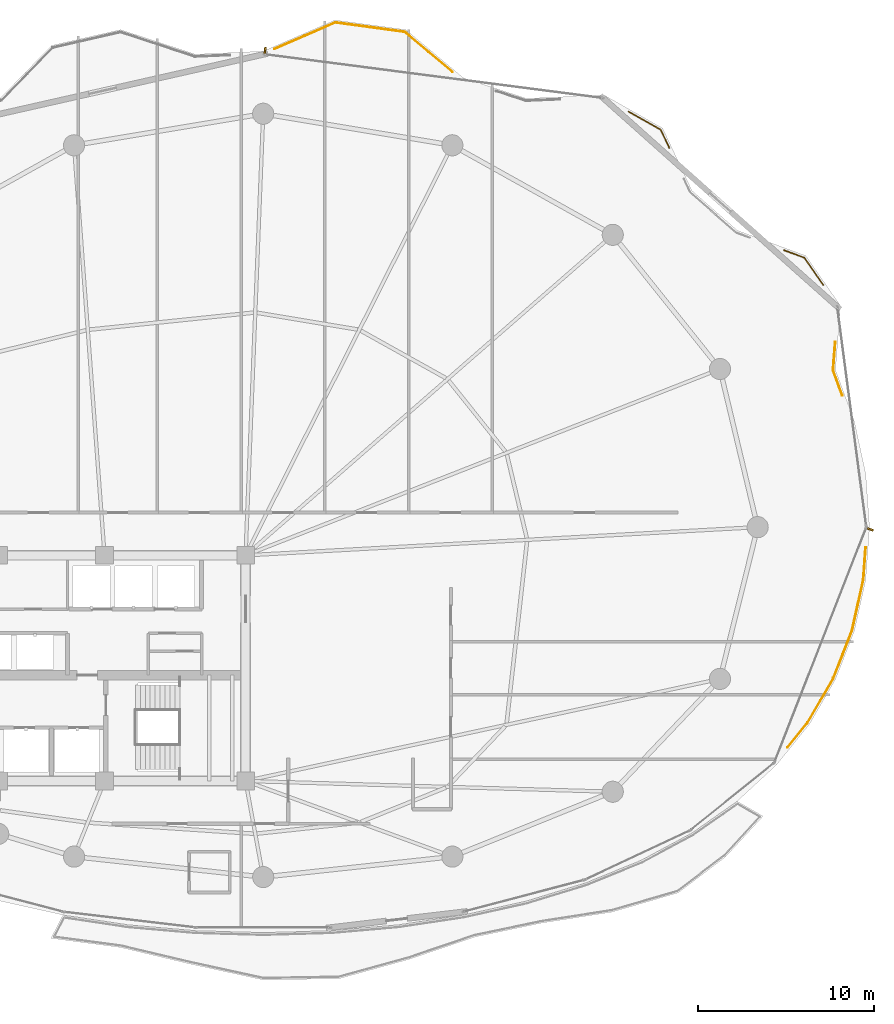
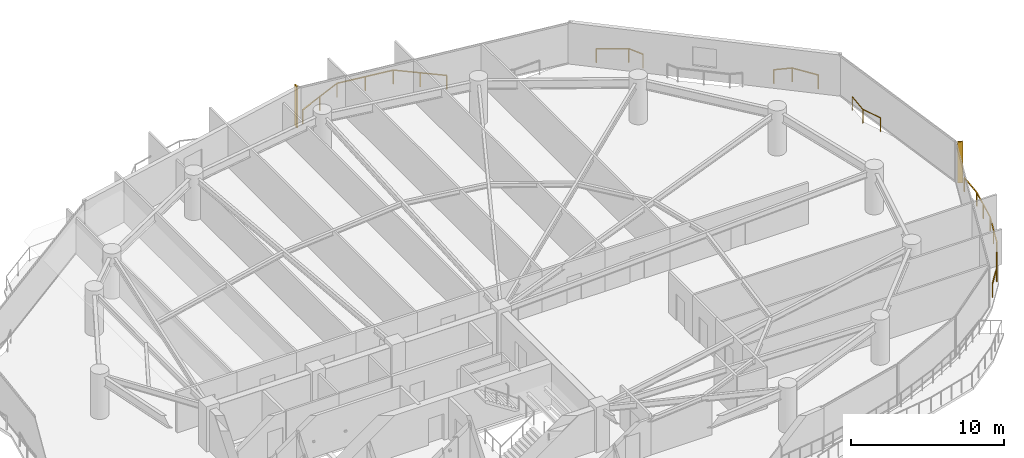
# One storey, part 33 of 33: 5 railings, 2 shading devices.
"""IFC4 building model written with IfcOpenShell, lengths in metres."""

from ifc_helpers import new_model, si_unit, direction, frame, origin, origin_2d, place, context, subcontext, project, spatial, rectangle, extrude, material, type_object, element, save


model = new_model("IFC4")

# Units and contexts
model_context = context("Model", 3, precision=1e-05, world=origin(), true_north=direction((0.0, 1.0)))
body_context = subcontext(model_context, "Body", "Model", "MODEL_VIEW")
ifc_project = project(units=[si_unit("LENGTHUNIT", "METRE"), si_unit("AREAUNIT", "SQUARE_METRE"), si_unit("VOLUMEUNIT", "CUBIC_METRE"), si_unit("PLANEANGLEUNIT", "RADIAN"), si_unit("MASSUNIT", "GRAM", prefix="KILO")], contexts=[model_context])

# Site, building, storey
site_placement = place(None, origin())
site = spatial("IfcSite", under=ifc_project, at=site_placement, CompositionType="ELEMENT")
building_placement = place(site_placement, origin())
building = spatial("IfcBuilding", under=site, at=building_placement, Name="Kazevale Care Tower and Concert Hall", CompositionType="ELEMENT")
storey_placement = place(building_placement, frame((0.0, 0.0, 178.199951171875)))
storey = spatial("IfcBuildingStorey", under=building, at=storey_placement, Name="L47", CompositionType="ELEMENT", Elevation=178.199951171875)

# Railings
ifc_material_1 = material(Name="Anodised Bronze Aluminium and Laminated Glass", Category="aluminium")
railing_type = type_object("IfcRailingType", Name="Balcony and Terrace Balustrade 1120", PredefinedType="BALUSTRADE", material=ifc_material_1)
railing_1_placement = place(storey_placement, frame((45.64404296875, 65.126953125, 0.0)))
element("IfcRailing", 1, at=railing_1_placement, inside=storey, type_object=railing_type, Name="rail:L47:perim:6", PredefinedType="BALUSTRADE", context=body_context, shape_type="SweptSolid", body=[
    extrude(rectangle(XDim=0.048095703125, YDim=0.048095703125, at=origin_2d()), frame((0.0, 0.0, 1.09619140625), z_axis=(0.917187785413, 0.398455224949, 0.0), x_axis=(-0.398455224949, 0.917187785413, 0.0)), (0.0, 0.0, 1.0), 3.757080078125),
    extrude(rectangle(XDim=0.048095703125, YDim=0.048095703125, at=origin_2d()), frame((3.446044921875, 1.4970703125, 1.09619140625), z_axis=(0.990974581197, -0.134049913915, 0.0), x_axis=(0.134049913915, 0.990974581197, 0.0)), (0.0, 0.0, 1.0), 3.975830078125),
    extrude(rectangle(XDim=0.048095703125, YDim=0.048095703125, at=origin_2d()), frame((7.385986328125, 0.964111328125, 1.09619140625), z_axis=(0.766816144639, -0.641866808863, 0.0), x_axis=(0.641866808863, 0.766816144639, 0.0)), (0.0, 0.0, 1.0), 3.53662109375),
    extrude(rectangle(XDim=0.0419921875, YDim=0.0419921875, at=origin_2d()), origin(), (0.0, 0.0, 1.0), 1.072021484375),
    extrude(rectangle(XDim=0.0419921875, YDim=0.0419921875, at=origin_2d()), frame((1.72314453125, 0.74853515625, 0.0)), (0.0, 0.0, 1.0), 1.072021484375),
    extrude(rectangle(XDim=0.0419921875, YDim=0.0419921875, at=origin_2d()), frame((3.446044921875, 1.4970703125, 0.0)), (0.0, 0.0, 1.0), 1.072021484375),
    extrude(rectangle(XDim=0.0419921875, YDim=0.0419921875, at=origin_2d()), frame((5.416015625, 1.23046875, 0.0)), (0.0, 0.0, 1.0), 1.072021484375),
    extrude(rectangle(XDim=0.0419921875, YDim=0.0419921875, at=origin_2d()), frame((7.385986328125, 0.964111328125, 0.0)), (0.0, 0.0, 1.0), 1.072021484375),
    extrude(rectangle(XDim=0.0419921875, YDim=0.0419921875, at=origin_2d()), frame((8.741943359375, -0.1708984375, 0.0)), (0.0, 0.0, 1.0), 1.072021484375),
    extrude(rectangle(XDim=0.0419921875, YDim=0.0419921875, at=origin_2d()), frame((10.097900390625, -1.305908203125, 0.0)), (0.0, 0.0, 1.0), 1.072021484375),
])
railing_2_placement = place(storey_placement, frame((65.718994140625, 61.572021484375, 0.0)))
element("IfcRailing", 2, at=railing_2_placement, inside=storey, type_object=railing_type, Name="rail:L47:perim:8", PredefinedType="BALUSTRADE", context=body_context, shape_type="SweptSolid", body=[
    extrude(rectangle(XDim=0.048095703125, YDim=0.048095703125, at=origin_2d()), frame((0.0, 0.0, 1.09619140625), z_axis=(0.870597317313, -0.491996251092, 0.0), x_axis=(0.491996251092, 0.870597317313, 0.0)), (0.0, 0.0, 1.0), 2.10986328125),
    extrude(rectangle(XDim=0.048095703125, YDim=0.048095703125, at=origin_2d()), frame((1.8369140625, -1.0380859375, 1.09619140625), z_axis=(0.425040298366, -0.905174427812, 0.0), x_axis=(0.905174427812, 0.425040298366, 0.0)), (0.0, 0.0, 1.0), 1.134521484375),
    extrude(rectangle(XDim=0.0419921875, YDim=0.0419921875, at=origin_2d()), origin(), (0.0, 0.0, 1.0), 1.072021484375),
    extrude(rectangle(XDim=0.0419921875, YDim=0.0419921875, at=origin_2d()), frame((1.8369140625, -1.0380859375, 0.0)), (0.0, 0.0, 1.0), 1.072021484375),
    extrude(rectangle(XDim=0.0419921875, YDim=0.0419921875, at=origin_2d()), frame((2.319091796875, -2.06494140625, 0.0)), (0.0, 0.0, 1.0), 1.072021484375),
])
railing_3_placement = place(storey_placement, frame((74.551025390625, 53.7060546875, 0.0)))
element("IfcRailing", 3, at=railing_3_placement, inside=storey, type_object=railing_type, Name="rail:L47:perim:10", PredefinedType="BALUSTRADE", context=body_context, shape_type="SweptSolid", body=[
    extrude(rectangle(XDim=0.048095703125, YDim=0.048095703125, at=origin_2d()), frame((0.0, 0.0, 1.09619140625), z_axis=(0.938095468021, -0.346376807652, 0.0), x_axis=(0.346376807652, 0.938095468021, 0.0)), (0.0, 0.0, 1.0), 1.213134765625),
    extrude(rectangle(XDim=0.048095703125, YDim=0.048095703125, at=origin_2d()), frame((1.137939453125, -0.420166015625, 1.09619140625), z_axis=(0.570141962651, -0.821546190074, 0.0), x_axis=(0.821546190074, 0.570141962651, 0.0)), (0.0, 0.0, 1.0), 1.892578125),
    extrude(rectangle(XDim=0.0419921875, YDim=0.0419921875, at=origin_2d()), origin(), (0.0, 0.0, 1.0), 1.072021484375),
    extrude(rectangle(XDim=0.0419921875, YDim=0.0419921875, at=origin_2d()), frame((1.137939453125, -0.420166015625, 0.0)), (0.0, 0.0, 1.0), 1.072021484375),
    extrude(rectangle(XDim=0.0419921875, YDim=0.0419921875, at=origin_2d()), frame((2.217041015625, -1.97509765625, 0.0)), (0.0, 0.0, 1.0), 1.072021484375),
])
railing_4_placement = place(storey_placement, frame((79.176025390625, 36.844970703125, 0.0)))
element("IfcRailing", 4, at=railing_4_placement, inside=storey, type_object=railing_type, Name="rail:L47:perim:11", PredefinedType="BALUSTRADE", context=body_context, shape_type="SweptSolid", body=[
    extrude(rectangle(XDim=0.048095703125, YDim=0.048095703125, at=origin_2d()), frame((0.0, 0.0, 1.09619140625), z_axis=(-0.071578588161, -0.997434963151, 0.0), x_axis=(0.997434963151, -0.071578588161, 0.0)), (0.0, 0.0, 1.0), 1.83154296875),
    extrude(rectangle(XDim=0.048095703125, YDim=0.048095703125, at=origin_2d()), frame((-0.131103515625, -1.826904296875, 1.09619140625), z_axis=(-0.217745961145, -0.9760054797, 0.0), x_axis=(0.9760054797, -0.217745961145, 0.0)), (0.0, 0.0, 1.0), 2.94775390625),
    extrude(rectangle(XDim=0.048095703125, YDim=0.048095703125, at=origin_2d()), frame((-0.77294921875, -4.703857421875, 1.09619140625), z_axis=(-0.363468066155, -0.931606657815, 0.0), x_axis=(0.931606657815, -0.363468066155, 0.0)), (0.0, 0.0, 1.0), 2.91650390625),
    extrude(rectangle(XDim=0.048095703125, YDim=0.048095703125, at=origin_2d()), frame((-1.8330078125, -7.4208984375, 1.09619140625), z_axis=(-0.502610267332, -0.864513111047, 0.0), x_axis=(0.864513111047, -0.502610267332, 0.0)), (0.0, 0.0, 1.0), 2.9150390625),
    extrude(rectangle(XDim=0.048095703125, YDim=0.048095703125, at=origin_2d()), frame((-3.298095703125, -9.94091796875, 1.09619140625), z_axis=(-0.628318296441, -0.777956373043, 0.0), x_axis=(0.777956373043, -0.628318296441, 0.0)), (0.0, 0.0, 1.0), 1.812744140625),
    extrude(rectangle(XDim=0.0419921875, YDim=0.0419921875, at=origin_2d()), origin(), (0.0, 0.0, 1.0), 1.072021484375),
    extrude(rectangle(XDim=0.0419921875, YDim=0.0419921875, at=origin_2d()), frame((-0.131103515625, -1.826904296875, 0.0)), (0.0, 0.0, 1.0), 1.072021484375),
    extrude(rectangle(XDim=0.0419921875, YDim=0.0419921875, at=origin_2d()), frame((-0.4521484375, -3.265380859375, 0.0)), (0.0, 0.0, 1.0), 1.072021484375),
    extrude(rectangle(XDim=0.0419921875, YDim=0.0419921875, at=origin_2d()), frame((-0.77294921875, -4.703857421875, 0.0)), (0.0, 0.0, 1.0), 1.072021484375),
    extrude(rectangle(XDim=0.0419921875, YDim=0.0419921875, at=origin_2d()), frame((-1.302978515625, -6.0625, 0.0)), (0.0, 0.0, 1.0), 1.072021484375),
    extrude(rectangle(XDim=0.0419921875, YDim=0.0419921875, at=origin_2d()), frame((-1.8330078125, -7.4208984375, 0.0)), (0.0, 0.0, 1.0), 1.072021484375),
    extrude(rectangle(XDim=0.0419921875, YDim=0.0419921875, at=origin_2d()), frame((-2.5654296875, -8.680908203125, 0.0)), (0.0, 0.0, 1.0), 1.072021484375),
    extrude(rectangle(XDim=0.0419921875, YDim=0.0419921875, at=origin_2d()), frame((-3.298095703125, -9.94091796875, 0.0)), (0.0, 0.0, 1.0), 1.072021484375),
    extrude(rectangle(XDim=0.0419921875, YDim=0.0419921875, at=origin_2d()), frame((-4.43701171875, -11.35107421875, 0.0)), (0.0, 0.0, 1.0), 1.072021484375),
])
railing_5_placement = place(storey_placement, frame((77.449951171875, 48.488037109375, 0.0)))
element("IfcRailing", 5, at=railing_5_placement, inside=storey, type_object=railing_type, Name="rail:L47:perim:12", PredefinedType="BALUSTRADE", context=body_context, shape_type="SweptSolid", body=[
    extrude(rectangle(XDim=0.048095703125, YDim=0.048095703125, at=origin_2d()), frame((0.0, 0.0, 1.09619140625), z_axis=(-0.076544309893, -0.997066180664, 0.0), x_axis=(0.997066180664, -0.076544309893, 0.0)), (0.0, 0.0, 1.0), 1.5947265625),
    extrude(rectangle(XDim=0.048095703125, YDim=0.048095703125, at=origin_2d()), frame((-0.1220703125, -1.590087890625, 1.09619140625), z_axis=(0.344520780969, -0.938778691429, 0.0), x_axis=(0.938778691429, 0.344520780969, 0.0)), (0.0, 0.0, 1.0), 1.509521484375),
    extrude(rectangle(XDim=0.0419921875, YDim=0.0419921875, at=origin_2d()), origin(), (0.0, 0.0, 1.0), 1.072021484375),
    extrude(rectangle(XDim=0.0419921875, YDim=0.0419921875, at=origin_2d()), frame((-0.1220703125, -1.590087890625, 0.0)), (0.0, 0.0, 1.0), 1.072021484375),
    extrude(rectangle(XDim=0.0419921875, YDim=0.0419921875, at=origin_2d()), frame((0.39794921875, -3.007080078125, 0.0)), (0.0, 0.0, 1.0), 1.072021484375),
])

# Shading devices
ifc_material_2 = material(Name="Anodised Bronze Aluminium", Category="aluminium")
shading_device_type = type_object("IfcShadingDeviceType", Name="Waist Anodised Bronze-Stone Fin FIN-02", PredefinedType="USERDEFINED", material=ifc_material_2)
for number, where, z_axis, x_axis, name in (
    (6, (79.44384765625, 37.869384765625, 0.0), (0.0, 0.0, 1.0), (0.931373876365, -0.364064146031, 0.0), "cw:L47:f01:fin"),
    (7, (45.109130859375, 65.05615234375, 0.0), (0.0, 0.0, 1.0), (0.12827634114, 0.991738463661, 0.0), "cw:L47:f16:fin"),
):
    element("IfcShadingDevice", number, at=place(storey_placement, frame(where, z_axis=z_axis, x_axis=x_axis)), inside=storey, type_object=shading_device_type, Name=name, ObjectType="FIN", PredefinedType="USERDEFINED", context=body_context, shape_type="SweptSolid", body=[
        extrude(rectangle(XDim=0.340087890625, YDim=0.10009765625, at=origin_2d()), origin(), (0.0, 0.0, 1.0), 3.280029296875),
    ])

save(model, "model.ifc")
